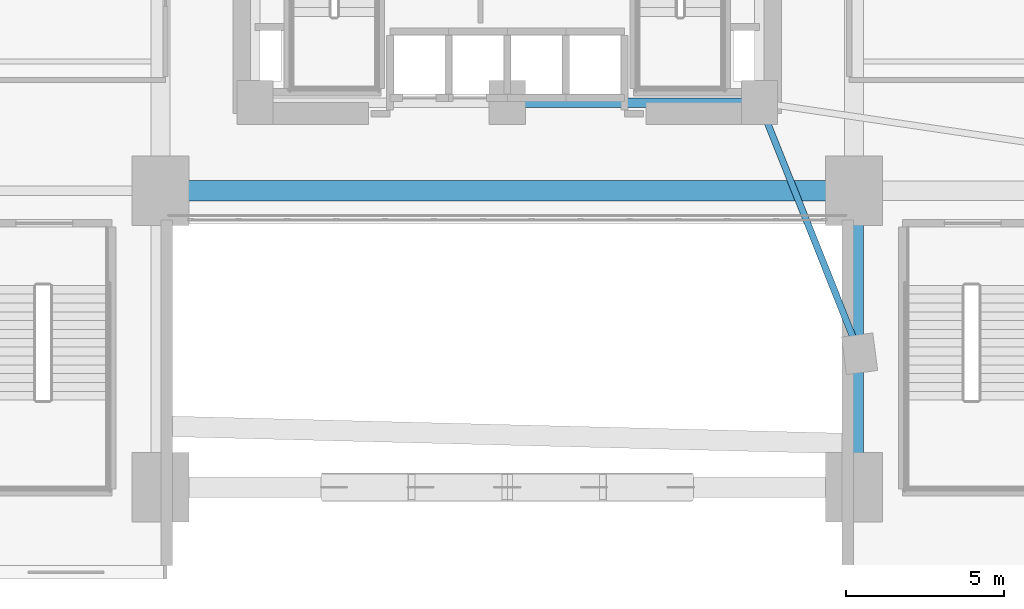
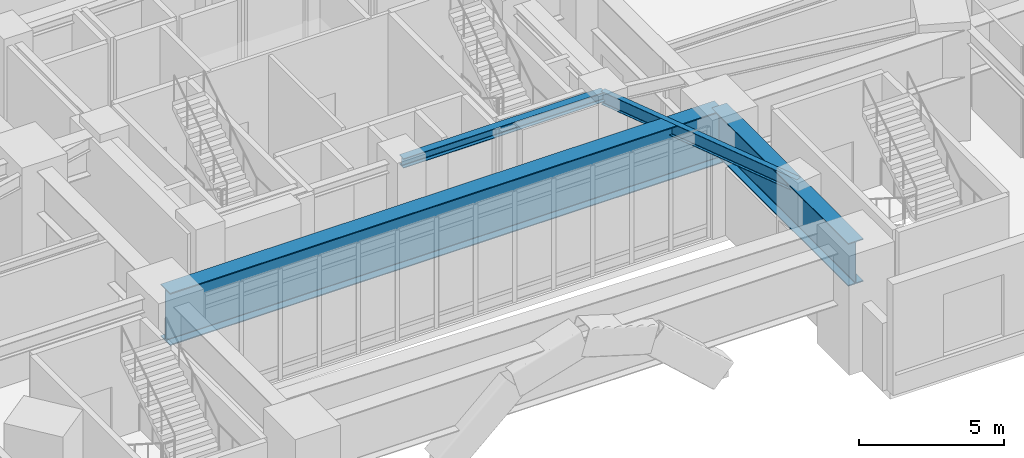
# One storey, part 7 of 25: 4 beams.
"""IFC4 building model written with IfcOpenShell, lengths in metres."""

from ifc_helpers import new_model, si_unit, direction, frame, origin, origin_2d, place, context, subcontext, project, spatial, i_section, extrude, material, material_profile, profile_set, type_object, element, save


model = new_model("IFC4")

# Units and contexts
model_context = context("Model", 3, precision=1e-05, world=origin(), true_north=direction((0.0, 1.0)))
body_context = subcontext(model_context, "Body", "Model", "MODEL_VIEW")
ifc_project = project(units=[si_unit("LENGTHUNIT", "METRE"), si_unit("AREAUNIT", "SQUARE_METRE"), si_unit("VOLUMEUNIT", "CUBIC_METRE"), si_unit("PLANEANGLEUNIT", "RADIAN"), si_unit("MASSUNIT", "GRAM", prefix="KILO")], contexts=[model_context])

# Site, building, storey
site_placement = place(None, origin())
site = spatial("IfcSite", under=ifc_project, at=site_placement, CompositionType="ELEMENT")
building_placement = place(site_placement, origin())
building = spatial("IfcBuilding", under=site, at=building_placement, Name="Ndelora Gate Hotel", CompositionType="ELEMENT")
storey_placement = place(building_placement, frame((0.0, 0.0, 11.0)))
storey = spatial("IfcBuildingStorey", under=building, at=storey_placement, Name="L02", CompositionType="ELEMENT", Elevation=11.0)

# Beams
ifc_material_1 = material(Name="Steel S355", Category="steel")
ifc_material_profile_1 = material_profile(ifc_material_1, i_section(OverallWidth=0.300048828125, OverallDepth=0.39990234375, WebThickness=0.013427734375, FlangeThickness=0.02392578125, FilletRadius=0.027099609375, at=origin_2d()), Name="HEB 400")
ifc_profile_set_1 = profile_set([ifc_material_profile_1], Name="Steel S355")
beam_type_1 = type_object("IfcBeamType", Name="BM-CORE-400", PredefinedType="BEAM", material=ifc_profile_set_1)
beam_1_placement = place(storey_placement, frame((0.0, -6.60009765625, 4.4599609375), z_axis=(1.0, 0.0, 0.0), x_axis=(0.0, 1.0, 0.0)))
element("IfcBeam", 1, at=beam_1_placement, inside=storey, type_object=beam_type_1, Name="L02 Core Tie Girder CC2-CC3", PredefinedType="BEAM", context=body_context, shape_type="SweptSolid", body=[
    extrude(i_section(OverallWidth=0.300048828125, OverallDepth=0.39990234375, WebThickness=0.013427734375, FlangeThickness=0.02392578125, FilletRadius=0.027099609375, at=origin_2d()), origin(), (0.0, 0.0, 1.0), 8.0),
])
ifc_material_profile_2 = material_profile(ifc_material_1, i_section(OverallWidth=0.2099609375, OverallDepth=0.550048828125, WebThickness=0.010986328125, FlangeThickness=0.01708984375, FilletRadius=0.02392578125, at=origin_2d()), Name="IPE 550")
ifc_profile_set_2 = profile_set([ifc_material_profile_2], Name="Steel S355")
beam_type_2 = type_object("IfcBeamType", Name="BM-RAD-550", PredefinedType="BEAM", material=ifc_profile_set_2)
beam_2_placement = place(storey_placement, frame((8.0, -6.60009765625, 4.385009765625), z_axis=(0.37056142644, -0.92880796144, 0.0), x_axis=(0.92880796144, 0.37056142644, 0.0)))
element("IfcBeam", 2, at=beam_2_placement, inside=storey, type_object=beam_type_2, Name="L02 Tower Root Radial Tie Beam 8", PredefinedType="BEAM", context=body_context, shape_type="SweptSolid", body=[
    extrude(i_section(OverallWidth=0.2099609375, OverallDepth=0.550048828125, WebThickness=0.010986328125, FlangeThickness=0.01708984375, FilletRadius=0.02392578125, at=origin_2d()), origin(), (0.0, 0.0, 1.0), 8.580078125),
])
ifc_material_2 = material(Name="Steel S460", Category="steel")
ifc_material_profile_3 = material_profile(ifc_material_2, i_section(OverallWidth=0.60009765625, OverallDepth=1.800048828125, WebThickness=0.028076171875, FlangeThickness=0.0400390625, FilletRadius=0.02392578125, at=origin_2d()), Name="PG 1800x600x40")
ifc_profile_set_3 = profile_set([ifc_material_profile_3], Name="Steel S460")
beam_type_3 = type_object("IfcBeamType", Name="BM-TR-1800", PredefinedType="BEAM", material=ifc_profile_set_3)
beam_3_placement = place(storey_placement, frame((11.0, -18.800048828125, 3.760009765625), z_axis=(0.0, 1.0, 0.0), x_axis=(-1.0, 0.0, 0.0)))
element("IfcBeam", 3, at=beam_3_placement, inside=storey, type_object=beam_type_3, Name="L02 Podium Longitudinal Girder X=+11.0", PredefinedType="BEAM", context=body_context, shape_type="SweptSolid", body=[
    extrude(i_section(OverallWidth=0.60009765625, OverallDepth=1.800048828125, WebThickness=0.028076171875, FlangeThickness=0.0400390625, FilletRadius=0.02392578125, at=origin_2d()), origin(), (0.0, 0.0, 1.0), 9.400146484375),
])
ifc_material_profile_4 = material_profile(ifc_material_2, i_section(OverallWidth=0.64990234375, OverallDepth=2.199951171875, WebThickness=0.030029296875, FlangeThickness=0.0400390625, FilletRadius=0.02392578125, at=origin_2d()), Name="PG 2200x650x40")
ifc_profile_set_4 = profile_set([ifc_material_profile_4], Name="Steel S460")
beam_type_4 = type_object("IfcBeamType", Name="BM-TR-2200", PredefinedType="BEAM", material=ifc_profile_set_4)
beam_4_placement = place(storey_placement, frame((-11.0, -9.39990234375, 3.56005859375), z_axis=(1.0, 0.0, 0.0), x_axis=(0.0, 1.0, 0.0)))
element("IfcBeam", 4, at=beam_4_placement, inside=storey, type_object=beam_type_4, Name="L02 structural beam TG-0", PredefinedType="BEAM", context=body_context, shape_type="SweptSolid", body=[
    extrude(i_section(OverallWidth=0.64990234375, OverallDepth=2.199951171875, WebThickness=0.030029296875, FlangeThickness=0.0400390625, FilletRadius=0.02392578125, at=origin_2d()), origin(), (0.0, 0.0, 1.0), 22.0),
])

save(model, "model.ifc")
